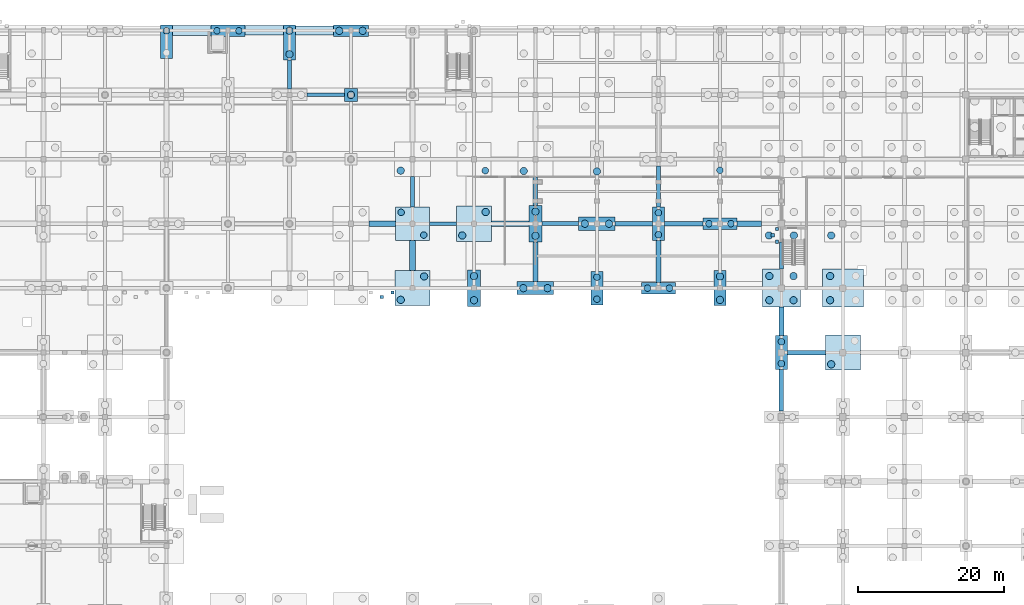
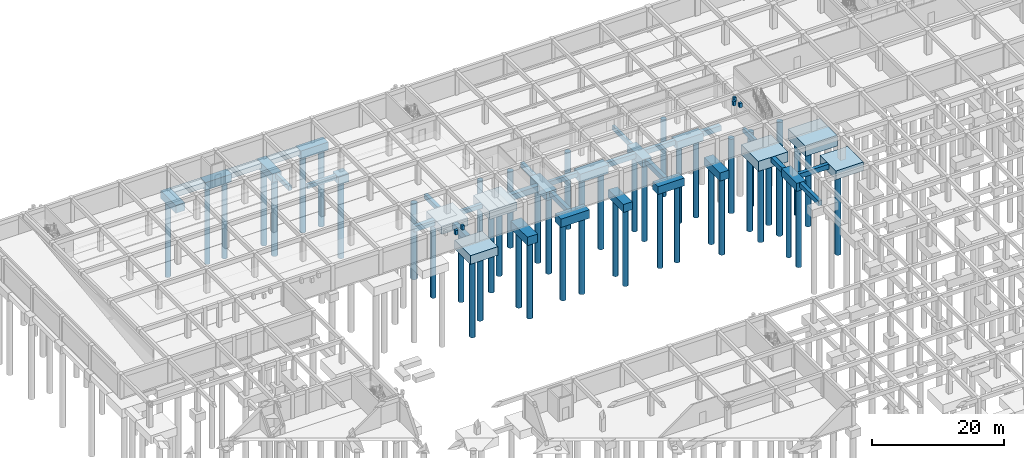
# One storey, part 7 of 41: 49 piles, 48 footings.
"""IFC4 building model written with IfcOpenShell, lengths in metres."""

import ifcopenshell
import ifcopenshell.guid

model = None  # the IFC model being written
_history = None  # IfcOwnerHistory: only IFC2X3 demands one
_inside = {}  # id of a spatial element -> (the spatial element, [elements in it])
_under = {}  # id of a project, library or spatial element -> (it, [spatial elements below it])
_declared = {}  # id of a project -> (the project, [libraries it declares])
_typed = {}  # id of a type object -> (the type object, [elements of that type])
_made_of = {}  # id of a material, layer set ... -> (it, [elements and type objects made of it])


def new_model(schema):
    """Start an empty IFC model of exactly this schema.

    Asked for "IFC4X3", IfcOpenShell would pick the latest addendum, in which some entities
    have other attributes; the version numbers below select the first issue.
    IFC2X3 requires an IfcOwnerHistory on every rooted entity: one is made here for all.
    """
    global model, _history
    if schema == "IFC4X3":
        model = ifcopenshell.file(schema_version=(4, 3, 0, 0))
    else:
        model = ifcopenshell.file(schema=schema)
    _inside.clear()
    _under.clear()
    _declared.clear()
    _typed.clear()
    _made_of.clear()
    _history = None
    if model.schema == "IFC2X3":
        org = make("IfcOrganization", Name="unknown")
        user = make(
            "IfcPersonAndOrganization",
            ThePerson=make("IfcPerson", FamilyName="unknown"),
            TheOrganization=org,
        )
        app = make(
            "IfcApplication",
            ApplicationDeveloper=org,
            Version="unknown",
            ApplicationFullName="unknown",
            ApplicationIdentifier="unknown",
        )
        _history = make(
            "IfcOwnerHistory",
            OwningUser=user,
            OwningApplication=app,
            ChangeAction="ADDED",
            CreationDate=0,
        )
    return model


def make(cls, **values):
    """One entity of the class cls with the attributes given. An attribute that is None is left unset."""
    return model.create_entity(
        cls, **{name: value for name, value in values.items() if value is not None}
    )


def rooted(cls, **values):
    """An entity with a GlobalId (a new one), such as an element, a storey or a relation."""
    return make(cls, GlobalId=ifcopenshell.guid.new(), OwnerHistory=_history, **values)


def si_unit(unit_type, name, prefix=None):
    """IfcSIUnit, for example si_unit("LENGTHUNIT", "METRE", prefix="MILLI")."""
    return make("IfcSIUnit", UnitType=unit_type, Prefix=prefix, Name=name)


def assignment(units):
    """IfcUnitAssignment: the units of a project."""
    return None if units is None else make("IfcUnitAssignment", Units=units)


def point(xyz):
    """IfcCartesianPoint."""
    return None if xyz is None else make("IfcCartesianPoint", Coordinates=xyz)


def direction(xyz):
    """IfcDirection."""
    return None if xyz is None else make("IfcDirection", DirectionRatios=xyz)


def frame(location, z_axis=None, x_axis=None):
    """IfcAxis2Placement3D, a coordinate frame: its origin and axes. An axis left out is left unset."""
    return make(
        "IfcAxis2Placement3D",
        Location=point(location),
        Axis=direction(z_axis),
        RefDirection=direction(x_axis),
    )


def frame_2d(location, x_axis=None):
    """IfcAxis2Placement2D, a coordinate frame in the plane: its origin and x axis."""
    return make(
        "IfcAxis2Placement2D", Location=point(location), RefDirection=direction(x_axis)
    )


def origin():
    """The frame at (0, 0, 0) with its axes left unset."""
    return frame((0.0, 0.0, 0.0))


def origin_2d():
    """The frame at (0, 0) in the plane with its x axis left unset."""
    return frame_2d((0.0, 0.0))


def place(relative_to, where):
    """IfcLocalPlacement: puts the frame where relative to a parent placement (None: the world)."""
    return make(
        "IfcLocalPlacement", PlacementRelTo=relative_to, RelativePlacement=where
    )


def context(
    kind, dimensions, precision=None, world=None, true_north=None, identifier=None
):
    """IfcGeometricRepresentationContext, for example the 3D "Model" context."""
    return make(
        "IfcGeometricRepresentationContext",
        ContextIdentifier=identifier,
        ContextType=kind,
        CoordinateSpaceDimension=dimensions,
        Precision=precision,
        WorldCoordinateSystem=world,
        TrueNorth=true_north,
    )


def subcontext(parent, identifier, kind, view, scale=None):
    """IfcGeometricRepresentationSubContext, for example "Body" below "Model"."""
    return make(
        "IfcGeometricRepresentationSubContext",
        ContextIdentifier=identifier,
        ContextType=kind,
        ParentContext=parent,
        TargetScale=scale,
        TargetView=view,
    )


def project(units=None, contexts=None):
    """IfcProject with its units and contexts."""
    return rooted(
        "IfcProject",
        Name="project",
        RepresentationContexts=contexts,
        UnitsInContext=assignment(units),
    )


def spatial(cls, under=None, at=None, **own):
    """A site, building, storey or space (cls), placed at a placement, below another one or the project."""
    s = rooted(cls, ObjectPlacement=at, **own)
    if under is not None:
        _under.setdefault(under.id(), (under, []))[1].append(s)
    return s


def profile(cls, at=None, kind="AREA", **sizes):
    """A parametric profile (cls). Its sizes go by their IFC names, for example OverallWidth=200.0."""
    return make(cls, ProfileType=kind, Position=at, **sizes)


def rectangle(**sizes):
    """IfcRectangleProfileDef."""
    return profile("IfcRectangleProfileDef", **sizes)


def circle(**sizes):
    """IfcCircleProfileDef."""
    return profile("IfcCircleProfileDef", **sizes)


def extrude(swept, where, along, depth):
    """IfcExtrudedAreaSolid: the profile swept, set in the frame where, extruded along a direction by depth."""
    return make(
        "IfcExtrudedAreaSolid",
        SweptArea=swept,
        Position=where,
        ExtrudedDirection=direction(along),
        Depth=depth,
    )


def shape(context_of_items, identifier, shape_type, items):
    """IfcShapeRepresentation: the items that make up one representation, for example the "Body"."""
    return make(
        "IfcShapeRepresentation",
        ContextOfItems=context_of_items,
        RepresentationIdentifier=identifier,
        RepresentationType=shape_type,
        Items=items,
    )


def material(Name=None, Category=None):
    """IfcMaterial."""
    return make("IfcMaterial", Name=Name, Category=Category)


def material_profile(
    of_material, cross_section, Name=None, Category=None, Priority=None
):
    """IfcMaterialProfile: a cross section and its material."""
    return make(
        "IfcMaterialProfile",
        Name=Name,
        Material=of_material,
        Profile=cross_section,
        Priority=Priority,
        Category=Category,
    )


def profile_set(profiles, Name=None, composite=None):
    """IfcMaterialProfileSet."""
    return make(
        "IfcMaterialProfileSet",
        Name=Name,
        MaterialProfiles=profiles,
        CompositeProfile=composite,
    )


def made_of(thing, what):
    """Note that an element or type object is made of a material, layer set ...; save() writes the relation."""
    if what is not None:
        _made_of.setdefault(what.id(), (what, []))[1].append(thing)
    return thing


def type_object(cls, material=None, **own):
    """A type object (cls), such as IfcWallType, which elements share."""
    return made_of(rooted(cls, **own), material)


def element(
    cls,
    number,
    at=None,
    inside=None,
    cuts=None,
    type_object=None,
    material=None,
    context=None,
    identifier="Body",
    shape_type=None,
    held_by="IfcProductDefinitionShape",
    body=None,
    shapes=None,
    **own,
):
    """One element of the class cls, such as IfcWall. Its Tag is "e" and its number.

    at: its placement. inside: the storey or other place that contains it. cuts: it is an
    opening in that element (IfcRelVoidsElement). A single representation is given by context,
    identifier, shape_type and body (its items); several are given by shapes. held_by: the class
    of the entity that holds the representations. save() writes the other relations.
    """
    e = rooted(cls, Tag="e%d" % number, ObjectPlacement=at, **own)
    if body is not None:
        shapes = [shape(context, identifier, shape_type, body)]
    if shapes is not None:
        e.Representation = make(held_by, Representations=shapes)
    if inside is not None:
        _inside.setdefault(inside.id(), (inside, []))[1].append(e)
    if cuts is not None:
        rooted(
            "IfcRelVoidsElement", RelatingBuildingElement=cuts, RelatedOpeningElement=e
        )
    if type_object is not None:
        _typed.setdefault(type_object.id(), (type_object, []))[1].append(e)
    return made_of(e, material)


def aggregate(whole, parts):
    """IfcRelAggregates: a whole, such as a stair, and the parts it consists of."""
    return rooted("IfcRelAggregates", RelatingObject=whole, RelatedObjects=parts)


def save(model, path):
    """Write the relations noted so far, then the file.

    IfcRelAggregates (storeys below a building ...), IfcRelContainedInSpatialStructure (elements
    in a storey), IfcRelDefinesByType, IfcRelAssociatesMaterial and IfcRelDeclares: one each for
    every whole, place, type object, material and project.
    """
    for whole, parts in _under.values():
        aggregate(whole, parts)
    for where, things in _inside.values():
        rooted(
            "IfcRelContainedInSpatialStructure",
            RelatedElements=things,
            RelatingStructure=where,
        )
    for kind, things in _typed.values():
        rooted("IfcRelDefinesByType", RelatedObjects=things, RelatingType=kind)
    for what, things in _made_of.values():
        rooted("IfcRelAssociatesMaterial", RelatedObjects=things, RelatingMaterial=what)
    for by, libraries in _declared.values():
        rooted("IfcRelDeclares", RelatingContext=by, RelatedDefinitions=libraries)
    model.write(path)


model = new_model("IFC4")

# Units and contexts
model_context = context("Model", 3, precision=1e-05, world=origin(), true_north=direction((0.0, 1.0)))
body_context = subcontext(model_context, "Body", "Model", "MODEL_VIEW")
ifc_project = project(units=[si_unit("LENGTHUNIT", "METRE"), si_unit("AREAUNIT", "SQUARE_METRE"), si_unit("VOLUMEUNIT", "CUBIC_METRE"), si_unit("PLANEANGLEUNIT", "RADIAN"), si_unit("MASSUNIT", "GRAM", prefix="KILO")], contexts=[model_context])

# Site, building, storey
site_placement = place(None, origin())
site = spatial("IfcSite", under=ifc_project, at=site_placement, CompositionType="ELEMENT")
building_placement = place(site_placement, origin())
building = spatial("IfcBuilding", under=site, at=building_placement, Name="Kemercrest Conservatory and Botanical Centre", CompositionType="ELEMENT")
storey_placement = place(building_placement, frame((0.0, 0.0, -4.5)))
storey = spatial("IfcBuildingStorey", under=building, at=storey_placement, Name="B1", CompositionType="ELEMENT", Elevation=-4.5)

# Piles
ifc_material = material(Name="Concrete C40/50", Category="concrete")
ifc_material_profile_1 = material_profile(ifc_material, circle(Radius=0.5, at=origin_2d()), Name="BORED PILE 1000")
ifc_profile_set_1 = profile_set([ifc_material_profile_1], Name="Concrete C40/50")
pile_type_1 = type_object("IfcPileType", Name="BP-01", PredefinedType="BORED", material=ifc_profile_set_1)
for number, where, z_axis, x_axis, name in (
    (1, (58.39990234375, 119.14990234375, -1.81005859375), (0.0, 0.0, -1.0), (1.0, 0.0, 0.0), "Bored pile BP-01 #178"),
    (2, (58.39990234375, 122.35009765625, -1.81005859375), (0.0, 0.0, -1.0), (1.0, 0.0, 0.0), "Bored pile BP-01 #179"),
):
    element("IfcPile", number, at=place(storey_placement, frame(where, z_axis=z_axis, x_axis=x_axis)), inside=storey, type_object=pile_type_1, Name=name, PredefinedType="BORED", context=body_context, shape_type="SweptSolid", body=[
        extrude(circle(Radius=0.5, at=origin_2d()), origin(), (0.0, 0.0, 1.0), 14.18994140625),
    ])
pile_1_placement = place(storey_placement, frame((66.800048828125, 113.60009765625, -1.760009765625), z_axis=(0.0, 0.0, -1.0), x_axis=(1.0, 0.0, 0.0)))
element("IfcPile", 3, at=pile_1_placement, inside=storey, type_object=pile_type_1, Name="Bored pile BP-01 #195", PredefinedType="BORED", context=body_context, shape_type="SweptSolid", body=[
    extrude(circle(Radius=0.5, at=origin_2d()), origin(), (0.0, 0.0, 1.0), 14.239990234375),
])
for number, where, z_axis, x_axis, name in (
    (4, (65.199951171875, 122.35009765625, -1.81005859375), (0.0, 0.0, -1.0), (1.0, 0.0, 0.0), "Bored pile BP-01 #196"),
    (5, (68.39990234375, 122.35009765625, -1.81005859375), (0.0, 0.0, -1.0), (1.0, 0.0, 0.0), "Bored pile BP-01 #197"),
):
    element("IfcPile", number, at=place(storey_placement, frame(where, z_axis=z_axis, x_axis=x_axis)), inside=storey, type_object=pile_type_1, Name=name, PredefinedType="BORED", context=body_context, shape_type="SweptSolid", body=[
        extrude(circle(Radius=0.5, at=origin_2d()), origin(), (0.0, 0.0, 1.0), 14.18994140625),
    ])
for number, where, z_axis, x_axis, name in (
    (6, (73.60009765625, 85.60009765625, -1.909912109375), (0.0, 0.0, -1.0), (1.0, 0.0, 0.0), "Bored pile BP-01 #208"),
    (7, (76.800048828125, 88.800048828125, -1.909912109375), (0.0, 0.0, -1.0), (1.0, 0.0, 0.0), "Bored pile BP-01 #209"),
):
    element("IfcPile", number, at=place(storey_placement, frame(where, z_axis=z_axis, x_axis=x_axis)), inside=storey, type_object=pile_type_1, Name=name, PredefinedType="BORED", context=body_context, shape_type="SweptSolid", body=[
        extrude(circle(Radius=0.5, at=origin_2d()), origin(), (0.0, 0.0, 1.0), 14.090087890625),
    ])
pile_2_placement = place(storey_placement, frame((73.60009765625, 103.25, -1.9599609375), z_axis=(0.0, 0.0, -1.0), x_axis=(1.0, 0.0, 0.0)))
element("IfcPile", 8, at=pile_2_placement, inside=storey, type_object=pile_type_1, Name="Bored pile BP-01 #212", PredefinedType="BORED", context=body_context, shape_type="SweptSolid", body=[
    extrude(circle(Radius=0.5, at=origin_2d()), origin(), (0.0, 0.0, 1.0), 14.0400390625),
])
for number, where, z_axis, x_axis, name in (
    (9, (83.60009765625, 85.550048828125, -1.860107421875), (0.0, 0.0, -1.0), (1.0, 0.0, 0.0), "Bored pile BP-01 #226"),
    (10, (83.60009765625, 88.85009765625, -1.860107421875), (0.0, 0.0, -1.0), (1.0, 0.0, 0.0), "Bored pile BP-01 #227"),
):
    element("IfcPile", number, at=place(storey_placement, frame(where, z_axis=z_axis, x_axis=x_axis)), inside=storey, type_object=pile_type_1, Name=name, PredefinedType="BORED", context=body_context, shape_type="SweptSolid", body=[
        extrude(circle(Radius=0.5, at=origin_2d()), origin(), (0.0, 0.0, 1.0), 14.139892578125),
    ])
for number, where, z_axis, x_axis, name in (
    (11, (82.0, 94.39990234375, -1.909912109375), (0.0, 0.0, -1.0), (1.0, 0.0, 0.0), "Bored pile BP-01 #228"),
    (12, (85.199951171875, 97.60009765625, -1.909912109375), (0.0, 0.0, -1.0), (1.0, 0.0, 0.0), "Bored pile BP-01 #229"),
):
    element("IfcPile", number, at=place(storey_placement, frame(where, z_axis=z_axis, x_axis=x_axis)), inside=storey, type_object=pile_type_1, Name=name, PredefinedType="BORED", context=body_context, shape_type="SweptSolid", body=[
        extrude(circle(Radius=0.5, at=origin_2d()), origin(), (0.0, 0.0, 1.0), 14.090087890625),
    ])
for number, where, z_axis, x_axis, name in (
    (13, (90.35009765625, 87.199951171875, -1.860107421875), (0.0, 0.0, -1.0), (1.0, 0.0, 0.0), "Bored pile BP-01 #244"),
    (14, (93.64990234375, 87.199951171875, -1.860107421875), (0.0, 0.0, -1.0), (1.0, 0.0, 0.0), "Bored pile BP-01 #245"),
    (15, (92.0, 94.35009765625, -1.860107421875), (0.0, 0.0, -1.0), (1.0, 0.0, 0.0), "Bored pile BP-01 #246"),
    (16, (92.0, 97.64990234375, -1.860107421875), (0.0, 0.0, -1.0), (1.0, 0.0, 0.0), "Bored pile BP-01 #247"),
):
    element("IfcPile", number, at=place(storey_placement, frame(where, z_axis=z_axis, x_axis=x_axis)), inside=storey, type_object=pile_type_1, Name=name, PredefinedType="BORED", context=body_context, shape_type="SweptSolid", body=[
        extrude(circle(Radius=0.5, at=origin_2d()), origin(), (0.0, 0.0, 1.0), 14.139892578125),
    ])
pile_3_placement = place(storey_placement, frame((90.39990234375, 103.199951171875, -1.909912109375), z_axis=(0.0, 0.0, -1.0), x_axis=(1.0, 0.0, 0.0)))
element("IfcPile", 17, at=pile_3_placement, inside=storey, type_object=pile_type_1, Name="Bored pile BP-01 #248", PredefinedType="BORED", context=body_context, shape_type="SweptSolid", body=[
    extrude(circle(Radius=0.5, at=origin_2d()), origin(), (0.0, 0.0, 1.0), 14.090087890625),
])
for number, where, z_axis, x_axis, name in (
    (18, (98.75, 96.0, -1.860107421875), (0.0, 0.0, -1.0), (1.0, 0.0, 0.0), "Bored pile BP-01 #264"),
    (19, (102.050048828125, 96.0, -1.860107421875), (0.0, 0.0, -1.0), (1.0, 0.0, 0.0), "Bored pile BP-01 #265"),
    (20, (100.39990234375, 103.14990234375, -1.860107421875), (0.0, 0.0, -1.0), (1.0, 0.0, 0.0), "Bored pile BP-01 #266"),
):
    element("IfcPile", number, at=place(storey_placement, frame(where, z_axis=z_axis, x_axis=x_axis)), inside=storey, type_object=pile_type_1, Name=name, PredefinedType="BORED", context=body_context, shape_type="SweptSolid", body=[
        extrude(circle(Radius=0.5, at=origin_2d()), origin(), (0.0, 0.0, 1.0), 14.139892578125),
    ])
for number, where, z_axis, x_axis, name in (
    (21, (117.199951171875, 85.60009765625, -1.81005859375), (0.0, 0.0, -1.0), (1.0, 0.0, 0.0), "Bored pile BP-01 #298"),
    (22, (117.199951171875, 88.800048828125, -1.81005859375), (0.0, 0.0, -1.0), (1.0, 0.0, 0.0), "Bored pile BP-01 #299"),
):
    element("IfcPile", number, at=place(storey_placement, frame(where, z_axis=z_axis, x_axis=x_axis)), inside=storey, type_object=pile_type_1, Name=name, PredefinedType="BORED", context=body_context, shape_type="SweptSolid", body=[
        extrude(circle(Radius=0.5, at=origin_2d()), origin(), (0.0, 0.0, 1.0), 14.18994140625),
    ])
for number, where, z_axis, x_axis, name in (
    (23, (123.949951171875, 85.550048828125, -2.199951171875), (0.0, 0.0, -1.0), (1.0, 0.0, 0.0), "Bored pile BP-01 #324"),
    (24, (123.949951171875, 88.85009765625, -2.199951171875), (0.0, 0.0, -1.0), (1.0, 0.0, 0.0), "Bored pile BP-01 #325"),
    (25, (127.25, 85.550048828125, -2.199951171875), (0.0, 0.0, -1.0), (1.0, 0.0, 0.0), "Bored pile BP-01 #326"),
    (26, (127.25, 88.85009765625, -2.199951171875), (0.0, 0.0, -1.0), (1.0, 0.0, 0.0), "Bored pile BP-01 #327"),
):
    element("IfcPile", number, at=place(storey_placement, frame(where, z_axis=z_axis, x_axis=x_axis)), inside=storey, type_object=pile_type_1, Name=name, PredefinedType="BORED", context=body_context, shape_type="SweptSolid", body=[
        extrude(circle(Radius=0.5, at=origin_2d()), origin(), (0.0, 0.0, 1.0), 13.800048828125),
    ])
for number, where, z_axis, x_axis, name in (
    (27, (123.89990234375, 94.39990234375, -2.25), (0.0, 0.0, -1.0), (1.0, 0.0, 0.0), "Bored pile BP-01 #328"),
    (28, (127.300048828125, 94.39990234375, -2.25), (0.0, 0.0, -1.0), (1.0, 0.0, 0.0), "Bored pile BP-01 #330"),
):
    element("IfcPile", number, at=place(storey_placement, frame(where, z_axis=z_axis, x_axis=x_axis)), inside=storey, type_object=pile_type_1, Name=name, PredefinedType="BORED", context=body_context, shape_type="SweptSolid", body=[
        extrude(circle(Radius=0.5, at=origin_2d()), origin(), (0.0, 0.0, 1.0), 13.75),
    ])
pile_4_placement = place(storey_placement, frame((132.39990234375, 76.800048828125, -1.5), z_axis=(0.0, 0.0, -1.0), x_axis=(1.0, 0.0, 0.0)))
element("IfcPile", 29, at=pile_4_placement, inside=storey, type_object=pile_type_1, Name="Bored pile BP-01 #358", PredefinedType="BORED", context=body_context, shape_type="SweptSolid", body=[
    extrude(circle(Radius=0.5, at=origin_2d()), origin(), (0.0, 0.0, 1.0), 14.5),
])
for number, where, z_axis, x_axis, name in (
    (30, (132.25, 85.550048828125, -2.300048828125), (0.0, 0.0, -1.0), (1.0, 0.0, 0.0), "Bored pile BP-01 #360"),
    (31, (132.25, 88.85009765625, -2.300048828125), (0.0, 0.0, -1.0), (1.0, 0.0, 0.0), "Bored pile BP-01 #361"),
):
    element("IfcPile", number, at=place(storey_placement, frame(where, z_axis=z_axis, x_axis=x_axis)), inside=storey, type_object=pile_type_1, Name=name, PredefinedType="BORED", context=body_context, shape_type="SweptSolid", body=[
        extrude(circle(Radius=0.5, at=origin_2d()), origin(), (0.0, 0.0, 1.0), 13.699951171875),
    ])
pile_5_placement = place(storey_placement, frame((132.39990234375, 94.39990234375, -2.14990234375), z_axis=(0.0, 0.0, -1.0), x_axis=(1.0, 0.0, 0.0)))
element("IfcPile", 32, at=pile_5_placement, inside=storey, type_object=pile_type_1, Name="Bored pile BP-01 #364", PredefinedType="BORED", context=body_context, shape_type="SweptSolid", body=[
    extrude(circle(Radius=0.5, at=origin_2d()), origin(), (0.0, 0.0, 1.0), 13.85009765625),
])
ifc_material_profile_2 = material_profile(ifc_material, circle(Radius=0.449951171875, at=origin_2d()), Name="BORED PILE 900")
ifc_profile_set_2 = profile_set([ifc_material_profile_2], Name="Concrete C40/50")
pile_type_2 = type_object("IfcPileType", Name="BP-02", PredefinedType="BORED", material=ifc_profile_set_2)
for number, where, z_axis, x_axis, name in (
    (33, (41.60009765625, 122.35009765625, -1.760009765625), (0.0, 0.0, -1.0), (1.0, 0.0, 0.0), "Bored pile BP-02 #143"),
    (34, (48.5, 122.35009765625, -1.760009765625), (0.0, 0.0, -1.0), (1.0, 0.0, 0.0), "Bored pile BP-02 #160"),
    (35, (51.5, 122.35009765625, -1.760009765625), (0.0, 0.0, -1.0), (1.0, 0.0, 0.0), "Bored pile BP-02 #161"),
):
    element("IfcPile", number, at=place(storey_placement, frame(where, z_axis=z_axis, x_axis=x_axis)), inside=storey, type_object=pile_type_2, Name=name, PredefinedType="BORED", context=body_context, shape_type="SweptSolid", body=[
        extrude(circle(Radius=0.449951171875, at=origin_2d()), origin(), (0.0, 0.0, 1.0), 14.239990234375),
    ])
for number, where, z_axis, x_axis, name in (
    (36, (73.64990234375, 97.550048828125, -1.81005859375), (0.0, 0.0, -1.0), (1.0, 0.0, 0.0), "Bored pile BP-02 #210"),
    (37, (76.75, 94.449951171875, -1.81005859375), (0.0, 0.0, -1.0), (1.0, 0.0, 0.0), "Bored pile BP-02 #211"),
    (38, (85.14990234375, 103.25, -1.81005859375), (0.0, 0.0, -1.0), (1.0, 0.0, 0.0), "Bored pile BP-02 #231"),
):
    element("IfcPile", number, at=place(storey_placement, frame(where, z_axis=z_axis, x_axis=x_axis)), inside=storey, type_object=pile_type_2, Name=name, PredefinedType="BORED", context=body_context, shape_type="SweptSolid", body=[
        extrude(circle(Radius=0.449951171875, at=origin_2d()), origin(), (0.0, 0.0, 1.0), 14.18994140625),
    ])
for number, where, z_axis, x_axis, name in (
    (39, (100.39990234375, 85.699951171875, -1.760009765625), (0.0, 0.0, -1.0), (1.0, 0.0, 0.0), "Bored pile BP-02 #262"),
    (40, (100.39990234375, 88.699951171875, -1.760009765625), (0.0, 0.0, -1.0), (1.0, 0.0, 0.0), "Bored pile BP-02 #263"),
    (41, (107.300048828125, 87.199951171875, -1.760009765625), (0.0, 0.0, -1.0), (1.0, 0.0, 0.0), "Bored pile BP-02 #280"),
    (42, (110.300048828125, 87.199951171875, -1.760009765625), (0.0, 0.0, -1.0), (1.0, 0.0, 0.0), "Bored pile BP-02 #281"),
    (43, (108.800048828125, 94.5, -1.760009765625), (0.0, 0.0, -1.0), (1.0, 0.0, 0.0), "Bored pile BP-02 #282"),
    (44, (108.800048828125, 97.5, -1.760009765625), (0.0, 0.0, -1.0), (1.0, 0.0, 0.0), "Bored pile BP-02 #283"),
    (45, (115.699951171875, 96.0, -1.760009765625), (0.0, 0.0, -1.0), (1.0, 0.0, 0.0), "Bored pile BP-02 #300"),
    (46, (118.699951171875, 96.0, -1.760009765625), (0.0, 0.0, -1.0), (1.0, 0.0, 0.0), "Bored pile BP-02 #301"),
    (47, (117.199951171875, 103.300048828125, -1.760009765625), (0.0, 0.0, -1.0), (1.0, 0.0, 0.0), "Bored pile BP-02 #302"),
):
    element("IfcPile", number, at=place(storey_placement, frame(where, z_axis=z_axis, x_axis=x_axis)), inside=storey, type_object=pile_type_2, Name=name, PredefinedType="BORED", context=body_context, shape_type="SweptSolid", body=[
        extrude(circle(Radius=0.449951171875, at=origin_2d()), origin(), (0.0, 0.0, 1.0), 14.239990234375),
    ])
for number, where, z_axis, x_axis, name in (
    (48, (125.60009765625, 76.89990234375, -1.35009765625), (0.0, 0.0, -1.0), (1.0, 0.0, 0.0), "Bored pile BP-02 #322"),
    (49, (125.60009765625, 79.89990234375, -1.35009765625), (0.0, 0.0, -1.0), (1.0, 0.0, 0.0), "Bored pile BP-02 #323"),
):
    element("IfcPile", number, at=place(storey_placement, frame(where, z_axis=z_axis, x_axis=x_axis)), inside=storey, type_object=pile_type_2, Name=name, PredefinedType="BORED", context=body_context, shape_type="SweptSolid", body=[
        extrude(circle(Radius=0.449951171875, at=origin_2d()), origin(), (0.0, 0.0, 1.0), 14.64990234375),
    ])

# Footings
footing_type_1 = type_object("IfcFootingType", Name="FB-01", PredefinedType="FOOTING_BEAM", material=ifc_material)
footing_1_placement = place(storey_placement, frame((129.0, 78.39990234375, -0.89990234375), z_axis=(0.0, 0.0, 1.0), x_axis=(1.0, 0.0, 0.0)))
element("IfcFooting", 50, at=footing_1_placement, inside=storey, type_object=footing_type_1, Name="Seismic tie footing beam FB-01", PredefinedType="FOOTING_BEAM", context=body_context, shape_type="SweptSolid", body=[
    extrude(rectangle(XDim=5.199951171875, YDim=0.60009765625, at=origin_2d()), origin(), (0.0, 0.0, 1.0), 0.89990234375),
])
footing_2_placement = place(storey_placement, frame((112.25, 96.0, -1.31005859375), z_axis=(0.0, 0.0, 1.0), x_axis=(1.0, 0.0, 0.0)))
element("IfcFooting", 51, at=footing_2_placement, inside=storey, type_object=footing_type_1, Name="Seismic tie footing beam FB-01", PredefinedType="FOOTING_BEAM", context=body_context, shape_type="SweptSolid", body=[
    extrude(rectangle(XDim=5.300048828125, YDim=0.60009765625, at=origin_2d()), origin(), (0.0, 0.0, 1.0), 0.89990234375),
])
footing_3_placement = place(storey_placement, frame((92.0, 100.449951171875, -1.31005859375), z_axis=(0.0, 0.0, 1.0), x_axis=(1.0, 0.0, 0.0)))
element("IfcFooting", 52, at=footing_3_placement, inside=storey, type_object=footing_type_1, Name="Seismic tie footing beam FB-01", PredefinedType="FOOTING_BEAM", context=body_context, shape_type="SweptSolid", body=[
    extrude(rectangle(XDim=0.60009765625, YDim=3.89990234375, at=origin_2d()), origin(), (0.0, 0.0, 1.0), 0.89990234375),
])
footing_4_placement = place(storey_placement, frame((125.60009765625, 73.25, -0.89990234375), z_axis=(0.0, 0.0, 1.0), x_axis=(1.0, 0.0, 0.0)))
element("IfcFooting", 53, at=footing_4_placement, inside=storey, type_object=footing_type_1, Name="Seismic tie footing beam FB-01", PredefinedType="FOOTING_BEAM", context=body_context, shape_type="SweptSolid", body=[
    extrude(rectangle(XDim=0.60009765625, YDim=5.699951171875, at=origin_2d()), origin(), (0.0, 0.0, 1.0), 0.89990234375),
])
footing_type_2 = type_object("IfcFootingType", Name="FB-02", PredefinedType="FOOTING_BEAM", material=ifc_material)
footing_5_placement = place(storey_placement, frame((71.074951171875, 96.0, -1.409912109375), z_axis=(0.0, 0.0, 1.0), x_axis=(1.0, 0.0, 0.0)))
element("IfcFooting", 54, at=footing_5_placement, inside=storey, type_object=footing_type_2, Name="Seismic tie footing beam FB-02", PredefinedType="FOOTING_BEAM", context=body_context, shape_type="SweptSolid", body=[
    extrude(rectangle(XDim=3.64990234375, YDim=0.699951171875, at=origin_2d()), origin(), (0.0, 0.0, 1.0), 1.0),
])
footing_6_placement = place(storey_placement, frame((121.199951171875, 96.0, -1.449951171875), z_axis=(0.0, 0.0, 1.0), x_axis=(1.0, 0.0, 0.0)))
element("IfcFooting", 55, at=footing_6_placement, inside=storey, type_object=footing_type_2, Name="Seismic tie footing beam FB-02", PredefinedType="FOOTING_BEAM", context=body_context, shape_type="SweptSolid", body=[
    extrude(rectangle(XDim=3.39990234375, YDim=0.699951171875, at=origin_2d()), origin(), (0.0, 0.0, 1.0), 1.0),
])
footing_7_placement = place(storey_placement, frame((108.800048828125, 90.85009765625, -1.409912109375), z_axis=(0.0, 0.0, 1.0), x_axis=(1.0, 0.0, 0.0)))
element("IfcFooting", 56, at=footing_7_placement, inside=storey, type_object=footing_type_2, Name="Seismic tie footing beam FB-02", PredefinedType="FOOTING_BEAM", context=body_context, shape_type="SweptSolid", body=[
    extrude(rectangle(XDim=0.699951171875, YDim=5.699951171875, at=origin_2d()), origin(), (0.0, 0.0, 1.0), 1.0),
])
footing_8_placement = place(storey_placement, frame((125.60009765625, 82.64990234375, -1.449951171875), z_axis=(0.0, 0.0, 1.0), x_axis=(1.0, 0.0, 0.0)))
element("IfcFooting", 57, at=footing_8_placement, inside=storey, type_object=footing_type_2, Name="Seismic tie footing beam FB-02", PredefinedType="FOOTING_BEAM", context=body_context, shape_type="SweptSolid", body=[
    extrude(rectangle(XDim=0.699951171875, YDim=3.89990234375, at=origin_2d()), origin(), (0.0, 0.0, 1.0), 1.0),
])
footing_type_3 = type_object("IfcFootingType", Name="FB-03", PredefinedType="FOOTING_BEAM", material=ifc_material)
footing_9_placement = place(storey_placement, frame((79.35009765625, 96.0, -1.2099609375), z_axis=(0.0, 0.0, 1.0), x_axis=(1.0, 0.0, 0.0)))
element("IfcFooting", 58, at=footing_9_placement, inside=storey, type_object=footing_type_3, Name="Seismic tie footing beam FB-03", PredefinedType="FOOTING_BEAM", context=body_context, shape_type="SweptSolid", body=[
    extrude(rectangle(XDim=3.699951171875, YDim=0.5, at=origin_2d()), origin(), (0.0, 0.0, 1.0), 0.800048828125),
])
footing_10_placement = place(storey_placement, frame((63.35009765625, 113.60009765625, -1.2099609375), z_axis=(0.0, 0.0, 1.0), x_axis=(1.0, 0.0, 0.0)))
element("IfcFooting", 59, at=footing_10_placement, inside=storey, type_object=footing_type_3, Name="Seismic tie footing beam FB-03", PredefinedType="FOOTING_BEAM", context=body_context, shape_type="SweptSolid", body=[
    extrude(rectangle(XDim=5.10009765625, YDim=0.5, at=origin_2d()), origin(), (0.0, 0.0, 1.0), 0.800048828125),
])
footing_11_placement = place(storey_placement, frame((108.800048828125, 101.10009765625, -1.2099609375), z_axis=(0.0, 0.0, 1.0), x_axis=(1.0, 0.0, 0.0)))
element("IfcFooting", 60, at=footing_11_placement, inside=storey, type_object=footing_type_3, Name="Seismic tie footing beam FB-03", PredefinedType="FOOTING_BEAM", context=body_context, shape_type="SweptSolid", body=[
    extrude(rectangle(XDim=0.5, YDim=5.60009765625, at=origin_2d()), origin(), (0.0, 0.0, 1.0), 0.800048828125),
])
footing_12_placement = place(storey_placement, frame((125.60009765625, 91.64990234375, -1.25), z_axis=(0.0, 0.0, 1.0), x_axis=(1.0, 0.0, 0.0)))
element("IfcFooting", 61, at=footing_12_placement, inside=storey, type_object=footing_type_3, Name="Seismic tie footing beam FB-03", PredefinedType="FOOTING_BEAM", context=body_context, shape_type="SweptSolid", body=[
    extrude(rectangle(XDim=0.5, YDim=3.699951171875, at=origin_2d()), origin(), (0.0, 0.0, 1.0), 0.800048828125),
])
footing_type_4 = type_object("IfcFootingType", Name="FB-04", PredefinedType="FOOTING_BEAM", material=ifc_material)
footing_13_placement = place(storey_placement, frame((88.550048828125, 96.0, -1.510009765625), z_axis=(0.0, 0.0, 1.0), x_axis=(1.0, 0.0, 0.0)))
element("IfcFooting", 62, at=footing_13_placement, inside=storey, type_object=footing_type_4, Name="Seismic tie footing beam FB-04", PredefinedType="FOOTING_BEAM", context=body_context, shape_type="SweptSolid", body=[
    extrude(rectangle(XDim=5.10009765625, YDim=0.800048828125, at=origin_2d()), origin(), (0.0, 0.0, 1.0), 1.10009765625),
])
footing_14_placement = place(storey_placement, frame((75.199951171875, 91.64990234375, -1.510009765625), z_axis=(0.0, 0.0, 1.0), x_axis=(1.0, 0.0, 0.0)))
element("IfcFooting", 63, at=footing_14_placement, inside=storey, type_object=footing_type_4, Name="Seismic tie footing beam FB-04", PredefinedType="FOOTING_BEAM", context=body_context, shape_type="SweptSolid", body=[
    extrude(rectangle(XDim=0.800048828125, YDim=4.10009765625, at=origin_2d()), origin(), (0.0, 0.0, 1.0), 1.10009765625),
])
footing_type_5 = type_object("IfcFootingType", Name="FB-05", PredefinedType="FOOTING_BEAM", material=ifc_material)
footing_15_placement = place(storey_placement, frame((95.39990234375, 96.0, -1.260009765625), z_axis=(0.0, 0.0, 1.0), x_axis=(1.0, 0.0, 0.0)))
element("IfcFooting", 64, at=footing_15_placement, inside=storey, type_object=footing_type_5, Name="Seismic tie footing beam FB-05", PredefinedType="FOOTING_BEAM", context=body_context, shape_type="SweptSolid", body=[
    extrude(rectangle(XDim=5.0, YDim=0.550048828125, at=origin_2d()), origin(), (0.0, 0.0, 1.0), 0.85009765625),
])
footing_16_placement = place(storey_placement, frame((58.39990234375, 116.375, -1.260009765625), z_axis=(0.0, 0.0, 1.0), x_axis=(1.0, 0.0, 0.0)))
element("IfcFooting", 65, at=footing_16_placement, inside=storey, type_object=footing_type_5, Name="Seismic tie footing beam FB-05", PredefinedType="FOOTING_BEAM", context=body_context, shape_type="SweptSolid", body=[
    extrude(rectangle(XDim=0.550048828125, YDim=3.949951171875, at=origin_2d()), origin(), (0.0, 0.0, 1.0), 0.85009765625),
])
footing_17_placement = place(storey_placement, frame((75.199951171875, 100.375, -1.260009765625), z_axis=(0.0, 0.0, 1.0), x_axis=(1.0, 0.0, 0.0)))
element("IfcFooting", 66, at=footing_17_placement, inside=storey, type_object=footing_type_5, Name="Seismic tie footing beam FB-05", PredefinedType="FOOTING_BEAM", context=body_context, shape_type="SweptSolid", body=[
    extrude(rectangle(XDim=0.550048828125, YDim=4.14990234375, at=origin_2d()), origin(), (0.0, 0.0, 1.0), 0.85009765625),
])
footing_type_6 = type_object("IfcFootingType", Name="FB-06", PredefinedType="FOOTING_BEAM", material=ifc_material)
footing_18_placement = place(storey_placement, frame((105.449951171875, 96.0, -1.35986328125), z_axis=(0.0, 0.0, 1.0), x_axis=(1.0, 0.0, 0.0)))
element("IfcFooting", 67, at=footing_18_placement, inside=storey, type_object=footing_type_6, Name="Seismic tie footing beam FB-06", PredefinedType="FOOTING_BEAM", context=body_context, shape_type="SweptSolid", body=[
    extrude(rectangle(XDim=5.10009765625, YDim=0.64990234375, at=origin_2d()), origin(), (0.0, 0.0, 1.0), 0.949951171875),
])
footing_19_placement = place(storey_placement, frame((92.0, 90.800048828125, -1.35986328125), z_axis=(0.0, 0.0, 1.0), x_axis=(1.0, 0.0, 0.0)))
element("IfcFooting", 68, at=footing_19_placement, inside=storey, type_object=footing_type_6, Name="Seismic tie footing beam FB-06", PredefinedType="FOOTING_BEAM", context=body_context, shape_type="SweptSolid", body=[
    extrude(rectangle(XDim=0.64990234375, YDim=5.39990234375, at=origin_2d()), origin(), (0.0, 0.0, 1.0), 0.949951171875),
])
footing_type_7 = type_object("IfcFootingType", Name="PC-02", PredefinedType="PILE_CAP", material=ifc_material)
footing_20_placement = place(storey_placement, frame((66.800048828125, 122.35009765625, -1.909912109375), z_axis=(0.0, 0.0, 1.0), x_axis=(1.0, 0.0, 0.0)))
element("IfcFooting", 69, at=footing_20_placement, inside=storey, type_object=footing_type_7, Name="Pile cap PC-02 at (66.8, 122.3)", PredefinedType="PILE_CAP", context=body_context, shape_type="SweptSolid", body=[
    extrude(rectangle(XDim=4.800048828125, YDim=1.60009765625, at=origin_2d()), origin(), (0.0, 0.0, 1.0), 1.5),
])
footing_type_8 = type_object("IfcFootingType", Name="PC-03", PredefinedType="PILE_CAP", material=ifc_material)
for number, where, z_axis, x_axis, name in (
    (70, (58.39990234375, 120.75, -1.909912109375), (0.0, 0.0, 1.0), (1.0, 0.0, 0.0), "Pile cap PC-03 at (58.4, 120.8)"),
    (71, (117.199951171875, 87.199951171875, -1.909912109375), (0.0, 0.0, 1.0), (1.0, 0.0, 0.0), "Pile cap PC-03 at (117.2, 87.2)"),
):
    element("IfcFooting", number, at=place(storey_placement, frame(where, z_axis=z_axis, x_axis=x_axis)), inside=storey, type_object=footing_type_8, Name=name, PredefinedType="PILE_CAP", context=body_context, shape_type="SweptSolid", body=[
        extrude(rectangle(XDim=1.60009765625, YDim=4.800048828125, at=origin_2d()), origin(), (0.0, 0.0, 1.0), 1.5),
    ])
footing_type_9 = type_object("IfcFootingType", Name="PC-04", PredefinedType="PILE_CAP", material=ifc_material)
for number, where, z_axis, x_axis, name in (
    (72, (75.199951171875, 87.199951171875, -2.010009765625), (0.0, 0.0, 1.0), (1.0, 0.0, 0.0), "Pile cap PC-04 at (75.2, 87.2)"),
    (73, (83.60009765625, 96.0, -2.010009765625), (0.0, 0.0, 1.0), (1.0, 0.0, 0.0), "Pile cap PC-04 at (83.6, 96.0)"),
    (74, (134.0, 78.39990234375, -1.60009765625), (0.0, 0.0, 1.0), (1.0, 0.0, 0.0), "Pile cap PC-04 at (134.0, 78.4)"),
):
    element("IfcFooting", number, at=place(storey_placement, frame(where, z_axis=z_axis, x_axis=x_axis)), inside=storey, type_object=footing_type_9, Name=name, PredefinedType="PILE_CAP", context=body_context, shape_type="SweptSolid", body=[
        extrude(rectangle(XDim=4.800048828125, YDim=4.800048828125, at=origin_2d()), origin(), (0.0, 0.0, 1.0), 1.60009765625),
    ])
footing_type_10 = type_object("IfcFootingType", Name="PC-05", PredefinedType="PILE_CAP", material=ifc_material)
footing_21_placement = place(storey_placement, frame((75.199951171875, 96.0, -1.909912109375), z_axis=(0.0, 0.0, 1.0), x_axis=(1.0, 0.0, 0.0)))
element("IfcFooting", 75, at=footing_21_placement, inside=storey, type_object=footing_type_10, Name="Pile cap PC-05 at (75.2, 96.0)", PredefinedType="PILE_CAP", context=body_context, shape_type="SweptSolid", body=[
    extrude(rectangle(XDim=4.60009765625, YDim=4.60009765625, at=origin_2d()), origin(), (0.0, 0.0, 1.0), 1.5),
])
footing_type_11 = type_object("IfcFootingType", Name="PC-07", PredefinedType="PILE_CAP", material=ifc_material)
footing_22_placement = place(storey_placement, frame((125.60009765625, 87.199951171875, -2.300048828125), z_axis=(0.0, 0.0, 1.0), x_axis=(1.0, 0.0, 0.0)))
element("IfcFooting", 76, at=footing_22_placement, inside=storey, type_object=footing_type_11, Name="Pile cap PC-07 at (125.6, 87.2)", PredefinedType="PILE_CAP", context=body_context, shape_type="SweptSolid", body=[
    extrude(rectangle(XDim=5.199951171875, YDim=5.199951171875, at=origin_2d()), origin(), (0.0, 0.0, 1.0), 1.85009765625),
])
footing_type_12 = type_object("IfcFootingType", Name="PC-08", PredefinedType="PILE_CAP", material=ifc_material)
for number, where, z_axis, x_axis, name in (
    (77, (50.0, 122.35009765625, -1.85986328125), (0.0, 0.0, 1.0), (1.0, 0.0, 0.0), "Pile cap PC-08 at (50.0, 122.3)"),
    (78, (108.800048828125, 87.199951171875, -1.85986328125), (0.0, 0.0, 1.0), (1.0, 0.0, 0.0), "Pile cap PC-08 at (108.8, 87.2)"),
    (79, (117.199951171875, 96.0, -1.85986328125), (0.0, 0.0, 1.0), (1.0, 0.0, 0.0), "Pile cap PC-08 at (117.2, 96.0)"),
):
    element("IfcFooting", number, at=place(storey_placement, frame(where, z_axis=z_axis, x_axis=x_axis)), inside=storey, type_object=footing_type_12, Name=name, PredefinedType="PILE_CAP", context=body_context, shape_type="SweptSolid", body=[
        extrude(rectangle(XDim=4.60009765625, YDim=1.60009765625, at=origin_2d()), origin(), (0.0, 0.0, 1.0), 1.449951171875),
    ])
footing_type_13 = type_object("IfcFootingType", Name="PC-09", PredefinedType="PILE_CAP", material=ifc_material)
for number, where, z_axis, x_axis, name in (
    (80, (41.60009765625, 120.85009765625, -1.85986328125), (0.0, 0.0, 1.0), (1.0, 0.0, 0.0), "Pile cap PC-09 at (41.6, 120.8)"),
    (81, (100.39990234375, 87.199951171875, -1.85986328125), (0.0, 0.0, 1.0), (1.0, 0.0, 0.0), "Pile cap PC-09 at (100.4, 87.2)"),
    (82, (108.800048828125, 96.0, -1.85986328125), (0.0, 0.0, 1.0), (1.0, 0.0, 0.0), "Pile cap PC-09 at (108.8, 96.0)"),
    (83, (125.60009765625, 78.39990234375, -1.4501953125), (0.0, 0.0, 1.0), (1.0, 0.0, 0.0), "Pile cap PC-09 at (125.6, 78.4)"),
):
    element("IfcFooting", number, at=place(storey_placement, frame(where, z_axis=z_axis, x_axis=x_axis)), inside=storey, type_object=footing_type_13, Name=name, PredefinedType="PILE_CAP", context=body_context, shape_type="SweptSolid", body=[
        extrude(rectangle(XDim=1.60009765625, YDim=4.60009765625, at=origin_2d()), origin(), (0.0, 0.0, 1.0), 1.449951171875),
    ])
footing_type_14 = type_object("IfcFootingType", Name="PC-12", PredefinedType="PILE_CAP", material=ifc_material)
footing_23_placement = place(storey_placement, frame((66.800048828125, 113.60009765625, -1.85986328125), z_axis=(0.0, 0.0, 1.0), x_axis=(1.0, 0.0, 0.0)))
element("IfcFooting", 84, at=footing_23_placement, inside=storey, type_object=footing_type_14, Name="Pile cap PC-12 at (66.8, 113.6)", PredefinedType="PILE_CAP", context=body_context, shape_type="SweptSolid", body=[
    extrude(rectangle(XDim=1.800048828125, YDim=1.800048828125, at=origin_2d()), origin(), (0.0, 0.0, 1.0), 1.449951171875),
])
footing_type_15 = type_object("IfcFootingType", Name="PC-13", PredefinedType="PILE_CAP", material=ifc_material)
for number, where, z_axis, x_axis, name in (
    (85, (92.0, 87.199951171875, -1.9599609375), (0.0, 0.0, 1.0), (1.0, 0.0, 0.0), "Pile cap PC-13 at (92.0, 87.2)"),
    (86, (100.39990234375, 96.0, -1.9599609375), (0.0, 0.0, 1.0), (1.0, 0.0, 0.0), "Pile cap PC-13 at (100.4, 96.0)"),
):
    element("IfcFooting", number, at=place(storey_placement, frame(where, z_axis=z_axis, x_axis=x_axis)), inside=storey, type_object=footing_type_15, Name=name, PredefinedType="PILE_CAP", context=body_context, shape_type="SweptSolid", body=[
        extrude(rectangle(XDim=5.0, YDim=1.800048828125, at=origin_2d()), origin(), (0.0, 0.0, 1.0), 1.550048828125),
    ])
footing_type_16 = type_object("IfcFootingType", Name="PC-14", PredefinedType="PILE_CAP", material=ifc_material)
for number, where, z_axis, x_axis, name in (
    (87, (83.60009765625, 87.199951171875, -1.9599609375), (0.0, 0.0, 1.0), (1.0, 0.0, 0.0), "Pile cap PC-14 at (83.6, 87.2)"),
    (88, (92.0, 96.0, -1.9599609375), (0.0, 0.0, 1.0), (1.0, 0.0, 0.0), "Pile cap PC-14 at (92.0, 96.0)"),
):
    element("IfcFooting", number, at=place(storey_placement, frame(where, z_axis=z_axis, x_axis=x_axis)), inside=storey, type_object=footing_type_16, Name=name, PredefinedType="PILE_CAP", context=body_context, shape_type="SweptSolid", body=[
        extrude(rectangle(XDim=1.800048828125, YDim=5.0, at=origin_2d()), origin(), (0.0, 0.0, 1.0), 1.550048828125),
    ])
footing_type_17 = type_object("IfcFootingType", Name="PC-15", PredefinedType="PILE_CAP", material=ifc_material)
footing_24_placement = place(storey_placement, frame((134.0, 87.199951171875, -2.39990234375), z_axis=(0.0, 0.0, 1.0), x_axis=(1.0, 0.0, 0.0)))
element("IfcFooting", 89, at=footing_24_placement, inside=storey, type_object=footing_type_17, Name="Pile cap PC-15 at (134.0, 87.2)", PredefinedType="PILE_CAP", context=body_context, shape_type="SweptSolid", body=[
    extrude(rectangle(XDim=5.60009765625, YDim=5.199951171875, at=origin_2d()), origin(), (0.0, 0.0, 1.0), 1.949951171875),
])
footing_type_18 = type_object("IfcFootingType", Name="PF-01", PredefinedType="PAD_FOOTING", material=ifc_material)
for number, where, z_axis, x_axis, name in (
    (90, (72.47509765625, 86.60009765625, 3.52001953125), (0.0, 0.0, 1.0), (1.0, 0.0, 0.0), "Threshold pad ED024 grade pad footing R"),
    (91, (71.0, 86.0, 3.52001953125), (0.0, 0.0, 1.0), (1.0, 0.0, 0.0), "Threshold pad ED024 grade pad footing F"),
    (92, (125.0, 95.2900390625, 3.52001953125), (0.0, 0.0, 1.0), (0.0, -1.0, 0.0), "Threshold pad ED039 grade pad footing L"),
    (93, (125.0, 93.5400390625, 3.52001953125), (0.0, 0.0, 1.0), (0.0, -1.0, 0.0), "Threshold pad ED039 grade pad footing R"),
    (94, (124.39990234375, 94.4150390625, 3.52001953125), (0.0, 0.0, 1.0), (0.0, -1.0, 0.0), "Threshold pad ED039 grade pad footing F"),
):
    element("IfcFooting", number, at=place(storey_placement, frame(where, z_axis=z_axis, x_axis=x_axis)), inside=storey, type_object=footing_type_18, Name=name, PredefinedType="PAD_FOOTING", context=body_context, shape_type="SweptSolid", body=[
        extrude(rectangle(XDim=0.449951171875, YDim=0.449951171875, at=origin_2d()), origin(), (0.0, 0.0, 1.0), 0.800048828125),
    ])
footing_type_19 = type_object("IfcFootingType", Name="SF-01", PredefinedType="STRIP_FOOTING", material=ifc_material)
footing_25_placement = place(storey_placement, frame((61.800048828125, 122.39990234375, -1.31005859375), z_axis=(0.0, 0.0, 1.0), x_axis=(1.0, 0.0, 0.0)))
element("IfcFooting", 95, at=footing_25_placement, inside=storey, type_object=footing_type_19, Name="Perimeter strip footing SF-01", PredefinedType="STRIP_FOOTING", context=body_context, shape_type="SweptSolid", body=[
    extrude(rectangle(XDim=5.199951171875, YDim=1.199951171875, at=origin_2d()), origin(), (0.0, 0.0, 1.0), 0.89990234375),
])
footing_type_20 = type_object("IfcFootingType", Name="SF-02", PredefinedType="STRIP_FOOTING", material=ifc_material)
footing_26_placement = place(storey_placement, frame((45.050048828125, 122.39990234375, -1.409912109375), z_axis=(0.0, 0.0, 1.0), x_axis=(1.0, 0.0, 0.0)))
element("IfcFooting", 96, at=footing_26_placement, inside=storey, type_object=footing_type_20, Name="Perimeter strip footing SF-02", PredefinedType="STRIP_FOOTING", context=body_context, shape_type="SweptSolid", body=[
    extrude(rectangle(XDim=5.300048828125, YDim=1.39990234375, at=origin_2d()), origin(), (0.0, 0.0, 1.0), 1.0),
])
footing_type_21 = type_object("IfcFootingType", Name="SF-03", PredefinedType="STRIP_FOOTING", material=ifc_material)
footing_27_placement = place(storey_placement, frame((54.949951171875, 122.39990234375, -1.35986328125), z_axis=(0.0, 0.0, 1.0), x_axis=(1.0, 0.0, 0.0)))
element("IfcFooting", 97, at=footing_27_placement, inside=storey, type_object=footing_type_21, Name="Perimeter strip footing SF-03", PredefinedType="STRIP_FOOTING", context=body_context, shape_type="SweptSolid", body=[
    extrude(rectangle(XDim=5.300048828125, YDim=1.300048828125, at=origin_2d()), origin(), (0.0, 0.0, 1.0), 0.949951171875),
])

save(model, "model.ifc")
